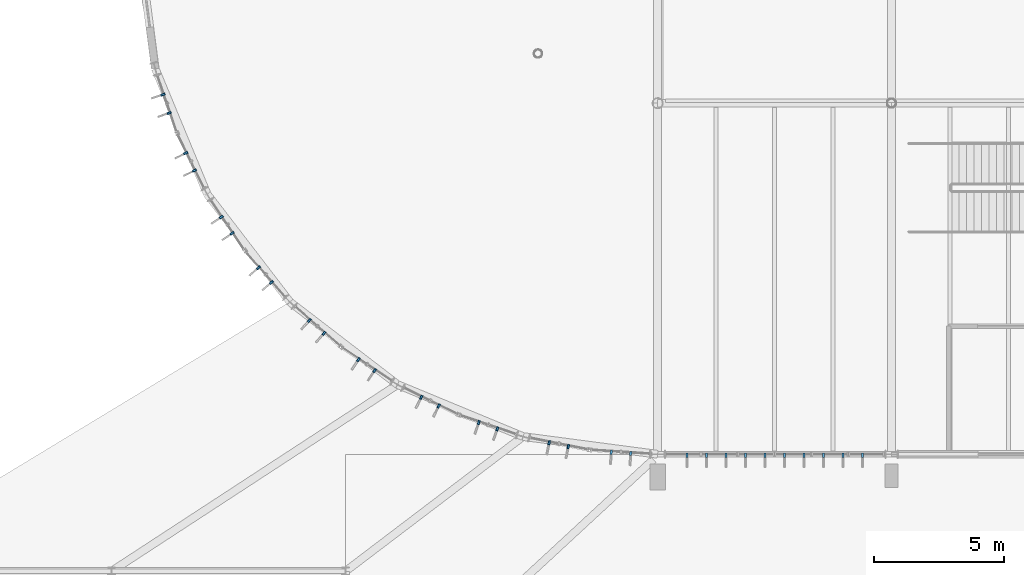
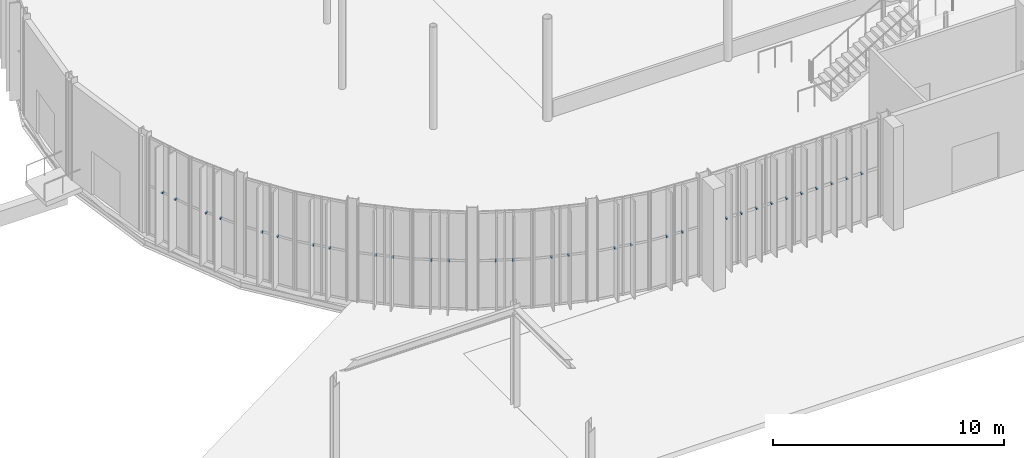
# One storey, part 134 of 158: 30 discrete accessories.
"""IFC4 building model written with IfcOpenShell, lengths in metres."""

from ifc_helpers import new_model, si_unit, derived_unit, direction, frame, origin, origin_2d, place, context, subcontext, project, spatial, rectangle, extrude, material, type_object, element, save


model = new_model("IFC4")

# Units and contexts
model_context = context("Model", 3, precision=1e-05, world=origin(), true_north=direction((0.0, 1.0)))
body_context = subcontext(model_context, "Body", "Model", "MODEL_VIEW")
ifc_project = project(units=[si_unit("LENGTHUNIT", "METRE"), si_unit("AREAUNIT", "SQUARE_METRE"), si_unit("VOLUMEUNIT", "CUBIC_METRE"), si_unit("PLANEANGLEUNIT", "RADIAN"), si_unit("MASSUNIT", "GRAM", prefix="KILO"), si_unit("THERMODYNAMICTEMPERATUREUNIT", "KELVIN"), si_unit("TIMEUNIT", "SECOND"), derived_unit("THERMALTRANSMITTANCEUNIT", [(si_unit("MASSUNIT", "GRAM", prefix="KILO"), 1), (si_unit("THERMODYNAMICTEMPERATUREUNIT", "KELVIN"), -1), (si_unit("TIMEUNIT", "SECOND"), -3)])], contexts=[model_context])

# Site, building, storey
site_placement = place(None, origin())
site = spatial("IfcSite", under=ifc_project, at=site_placement, CompositionType="ELEMENT")
building_placement = place(site_placement, origin())
building = spatial("IfcBuilding", under=site, at=building_placement, Name="Cambertide Market Hall", CompositionType="ELEMENT")
storey_placement = place(building_placement, origin())
storey = spatial("IfcBuildingStorey", under=building, at=storey_placement, Name="L01", CompositionType="ELEMENT", Elevation=0.0)

# Discrete accessories
ifc_material = material(Name="Stainless Steel Grade 316", Category="metal")
discrete_accessory_type = type_object("IfcDiscreteAccessoryType", Name="Stainless Fin Outrigger Tie Bracket", PredefinedType="BRACKET", material=ifc_material)
for number, where, z_axis, x_axis, name in (
    (1, (49.875, 51.9599609375, 2.5400390625), (0.0, 0.0, 1.0), (-1.0, 0.0, 0.0), "CW-V1S-L01-1 Fin Tie Bracket 1"),
    (2, (49.125, 51.9599609375, 2.5400390625), (0.0, 0.0, 1.0), (-1.0, 0.0, 0.0), "CW-V1S-L01-1 Fin Tie Bracket 2"),
    (3, (48.375, 51.9599609375, 2.5400390625), (0.0, 0.0, 1.0), (-1.0, 0.0, 0.0), "CW-V1S-L01-1 Fin Tie Bracket 3"),
    (4, (47.625, 51.9599609375, 2.5400390625), (0.0, 0.0, 1.0), (-1.0, 0.0, 0.0), "CW-V1S-L01-1 Fin Tie Bracket 4"),
    (5, (46.875, 51.9599609375, 2.5400390625), (0.0, 0.0, 1.0), (-1.0, 0.0, 0.0), "CW-V1S-L01-1 Fin Tie Bracket 5"),
    (6, (46.125, 51.9599609375, 2.5400390625), (0.0, 0.0, 1.0), (-1.0, 0.0, 0.0), "CW-V1S-L01-1 Fin Tie Bracket 6"),
    (7, (45.375, 51.9599609375, 2.5400390625), (0.0, 0.0, 1.0), (-1.0, 0.0, 0.0), "CW-V1S-L01-1 Fin Tie Bracket 7"),
    (8, (44.625, 51.9599609375, 2.5400390625), (0.0, 0.0, 1.0), (-1.0, 0.0, 0.0), "CW-V1S-L01-1 Fin Tie Bracket 8"),
    (9, (43.875, 51.9599609375, 2.5400390625), (0.0, 0.0, 1.0), (-1.0, 0.0, 0.0), "CW-V1S-L01-1 Fin Tie Bracket 9"),
    (10, (43.125, 51.9599609375, 2.5400390625), (0.0, 0.0, 1.0), (-1.0, 0.0, 0.0), "CW-V1S-L01-1 Fin Tie Bracket 10"),
    (11, (23.216796875, 65.122314453125, 2.5400390625), (0.0, 0.0, 1.0), (-0.32143947831, 0.94693012508, 0.0), "CW-V1AW-L01-15 Fin Tie Bracket 1"),
    (12, (22.9755859375, 65.83251953125, 2.5400390625), (0.0, 0.0, 1.0), (-0.32143947831, 0.94693012508, 0.0), "CW-V1AW-L01-15 Fin Tie Bracket 2"),
    (13, (24.186767578125, 62.908935546875, 2.5400390625), (0.0, 0.0, 1.0), (-0.442288874522, 0.896872650645, 0.0), "CW-V1AW-L01-16 Fin Tie Bracket 1"),
    (14, (23.85498046875, 63.58154296875, 2.5400390625), (0.0, 0.0, 1.0), (-0.442288874522, 0.896872650645, 0.0), "CW-V1AW-L01-16 Fin Tie Bracket 2"),
    (15, (25.636962890625, 60.4951171875, 2.5400390625), (0.0, 0.0, 1.0), (-0.555570087582, 0.831469709481, 0.0), "CW-V1AW-L01-17 Fin Tie Bracket 1"),
    (16, (25.22021484375, 61.118896484375, 2.5400390625), (0.0, 0.0, 1.0), (-0.555570087582, 0.831469709481, 0.0), "CW-V1AW-L01-17 Fin Tie Bracket 2"),
    (17, (27.146728515625, 58.608154296875, 2.5400390625), (0.0, 0.0, 1.0), (-0.659345784014, 0.751839834741, 0.0), "CW-V1AW-L01-18 Fin Tie Bracket 1"),
    (18, (26.652099609375, 59.172119140625, 2.5400390625), (0.0, 0.0, 1.0), (-0.659345784014, 0.751839834741, 0.0), "CW-V1AW-L01-18 Fin Tie Bracket 2"),
    (19, (29.172119140625, 56.652099609375, 2.5400390625), (0.0, 0.0, 1.0), (-0.751839834741, 0.659345784014, 0.0), "CW-V1AW-L01-19 Fin Tie Bracket 1"),
    (20, (28.608154296875, 57.146728515625, 2.5400390625), (0.0, 0.0, 1.0), (-0.751839834741, 0.659345784014, 0.0), "CW-V1AW-L01-19 Fin Tie Bracket 2"),
    (21, (31.118896484375, 55.22021484375, 2.5400390625), (0.0, 0.0, 1.0), (-0.831469709481, 0.555570087582, 0.0), "CW-V1AW-L01-20 Fin Tie Bracket 1"),
    (22, (30.4951171875, 55.636962890625, 2.5400390625), (0.0, 0.0, 1.0), (-0.831469709481, 0.555570087582, 0.0), "CW-V1AW-L01-20 Fin Tie Bracket 2"),
    (23, (33.58154296875, 53.85498046875, 2.5400390625), (0.0, 0.0, 1.0), (-0.896872650645, 0.442288874522, 0.0), "CW-V1AW-L01-21 Fin Tie Bracket 1"),
    (24, (32.908935546875, 54.186767578125, 2.5400390625), (0.0, 0.0, 1.0), (-0.896872650645, 0.442288874522, 0.0), "CW-V1AW-L01-21 Fin Tie Bracket 2"),
    (25, (35.83251953125, 52.9755859375, 2.5400390625), (0.0, 0.0, 1.0), (-0.94693012508, 0.32143947831, 0.0), "CW-V1AW-L01-22 Fin Tie Bracket 1"),
    (26, (35.122314453125, 53.216796875, 2.5400390625), (0.0, 0.0, 1.0), (-0.94693012508, 0.32143947831, 0.0), "CW-V1AW-L01-22 Fin Tie Bracket 2"),
    (27, (38.564697265625, 52.29443359375, 2.5400390625), (0.0, 0.0, 1.0), (-0.980785330885, 0.195090068226, 0.0), "CW-V1AW-L01-23 Fin Tie Bracket 1"),
    (28, (37.8291015625, 52.440673828125, 2.5400390625), (0.0, 0.0, 1.0), (-0.980785330885, 0.195090068226, 0.0), "CW-V1AW-L01-23 Fin Tie Bracket 2"),
    (29, (40.966552734375, 52.027587890625, 2.5400390625), (0.0, 0.0, 1.0), (-0.997858917819, 0.065403211921, 0.0), "CW-V1AW-L01-24 Fin Tie Bracket 1"),
    (30, (40.218017578125, 52.07666015625, 2.5400390625), (0.0, 0.0, 1.0), (-0.997858917819, 0.065403211921, 0.0), "CW-V1AW-L01-24 Fin Tie Bracket 2"),
):
    element("IfcDiscreteAccessory", number, at=place(storey_placement, frame(where, z_axis=z_axis, x_axis=x_axis)), inside=storey, type_object=discrete_accessory_type, Name=name, PredefinedType="BRACKET", context=body_context, shape_type="SweptSolid", body=[
        extrude(rectangle(XDim=0.080078125, YDim=0.159912109375, at=origin_2d()), origin(), (0.0, 0.0, 1.0), 0.080078125),
    ])

save(model, "model.ifc")
